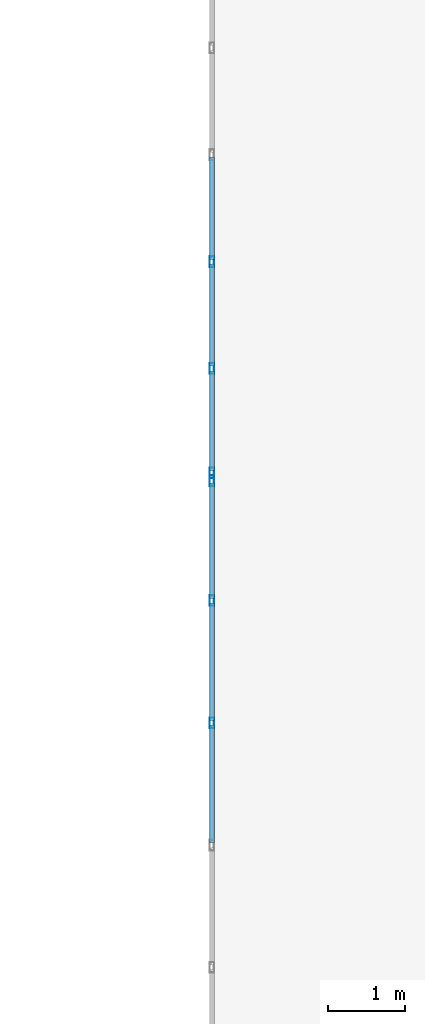
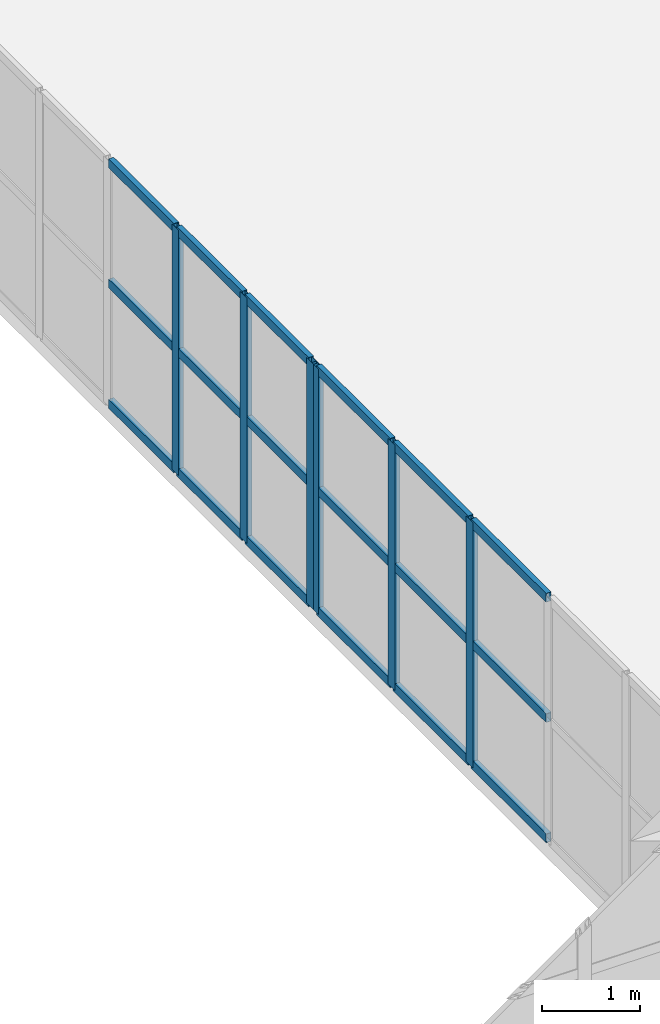
# One storey, part 96 of 200: 24 members, 2 elements without a shape of their own.
"""IFC4 building model written with IfcOpenShell, lengths in metres."""

from ifc_helpers import new_model, si_unit, direction, frame, origin, origin_2d, place, context, subcontext, project, spatial, hollow_rectangle, extrude, material, layer, layer_set, material_profile, profile_set, type_object, element, aggregate, save


model = new_model("IFC4")

# Units and contexts
model_context = context("Model", 3, precision=1e-05, world=origin(), true_north=direction((0.0, 1.0)))
body_context = subcontext(model_context, "Body", "Model", "MODEL_VIEW")
ifc_project = project(units=[si_unit("LENGTHUNIT", "METRE"), si_unit("AREAUNIT", "SQUARE_METRE"), si_unit("VOLUMEUNIT", "CUBIC_METRE"), si_unit("PLANEANGLEUNIT", "RADIAN"), si_unit("MASSUNIT", "GRAM", prefix="KILO")], contexts=[model_context])

# Site, building, storey
site_placement = place(None, origin())
site = spatial("IfcSite", under=ifc_project, at=site_placement, CompositionType="ELEMENT")
building_placement = place(site_placement, origin())
building = spatial("IfcBuilding", under=site, at=building_placement, Name="Trelvath General Hospital", CompositionType="ELEMENT")
storey_placement = place(building_placement, frame((0.0, 0.0, 4.800048828125)))
storey = spatial("IfcBuildingStorey", under=building, at=storey_placement, Name="L01", CompositionType="ELEMENT", Elevation=4.800048828125)

# Curtain wall, members
ifc_material_1 = material(Name="Anodised aluminium and low-E glass", Category="aluminium")
ifc_layer_1 = layer(ifc_material_1, 0.14990234375)
ifc_layer_set_1 = layer_set([ifc_layer_1], Name="Anodised aluminium and low-E glass")
curtain_wall_type_1 = type_object("IfcCurtainWallType", Name="CW CrystalCube 798 306 15", PredefinedType="USERDEFINED", material=ifc_layer_set_1)
curtain_wall_1_placement = place(storey_placement, origin())
curtain_wall_1 = element("IfcCurtainWall", 1, at=curtain_wall_1_placement, inside=storey, type_object=curtain_wall_type_1, Name="Crystal Cube Curtain Wall CUBE-E-T0 W5 L01", ObjectType="Unitised Glazed Curtain Wall", PredefinedType="USERDEFINED")
ifc_material_2 = material(Name="Anodised aluminium", Category="aluminium")
ifc_material_profile_1 = material_profile(ifc_material_2, hollow_rectangle(XDim=0.06005859375, YDim=0.139892578125, WallThickness=0.00390625, at=origin_2d()), Name="RHS60x140x4")
ifc_profile_set_1 = profile_set([ifc_material_profile_1], Name="Anodised aluminium")
member_type_1 = type_object("IfcMemberType", Name="CurtainMullion 60x140", PredefinedType="MULLION", material=ifc_profile_set_1)
member_1_placement = place(storey_placement, frame((92.39990234375, 72.389892578125, 0.0), z_axis=(0.0, 0.0, 1.0), x_axis=(-1.0, 0.0, 0.0)))
member_1 = element("IfcMember", 2, at=member_1_placement, type_object=member_type_1, Name="CW-167 mullion 4", PredefinedType="MULLION", context=body_context, shape_type="SweptSolid", body=[
    extrude(hollow_rectangle(XDim=0.06005859375, YDim=0.139892578125, WallThickness=0.00390625, at=origin_2d()), origin(), (0.0, 0.0, 1.0), 3.06005859375),
])
member_2_placement = place(storey_placement, frame((92.39990234375, 73.985107421875, 0.0), z_axis=(0.0, 0.0, 1.0), x_axis=(-1.0, 0.0, 0.0)))
member_2 = element("IfcMember", 3, at=member_2_placement, type_object=member_type_1, Name="CW-167 mullion 5", PredefinedType="MULLION", context=body_context, shape_type="SweptSolid", body=[
    extrude(hollow_rectangle(XDim=0.06005859375, YDim=0.139892578125, WallThickness=0.00390625, at=origin_2d()), origin(), (0.0, 0.0, 1.0), 3.06005859375),
])
member_3_placement = place(storey_placement, frame((92.39990234375, 75.550048828125, 0.0), z_axis=(0.0, 0.0, 1.0), x_axis=(-1.0, 0.0, 0.0)))
member_3 = element("IfcMember", 4, at=member_3_placement, type_object=member_type_1, Name="CW-167 mullion 6", PredefinedType="MULLION", context=body_context, shape_type="SweptSolid", body=[
    extrude(hollow_rectangle(XDim=0.06005859375, YDim=0.139892578125, WallThickness=0.00390625, at=origin_2d()), origin(), (0.0, 0.0, 1.0), 3.06005859375),
])

ifc_material_3 = material(Name="Anodised aluminium and low-E glass", Category="aluminium")
ifc_layer_2 = layer(ifc_material_3, 0.14990234375)
ifc_layer_set_2 = layer_set([ifc_layer_2], Name="Anodised aluminium and low-E glass")
curtain_wall_type_2 = type_object("IfcCurtainWallType", Name="CW CrystalCube 836 306 15", PredefinedType="USERDEFINED", material=ifc_layer_set_2)
curtain_wall_2_placement = place(storey_placement, origin())
curtain_wall_2 = element("IfcCurtainWall", 5, at=curtain_wall_2_placement, inside=storey, type_object=curtain_wall_type_2, Name="Crystal Cube Curtain Wall CUBE-E-T0 W6 L01", ObjectType="Unitised Glazed Curtain Wall", PredefinedType="USERDEFINED")
member_4_placement = place(storey_placement, frame((92.39990234375, 75.64990234375, 0.0), z_axis=(0.0, 0.0, 1.0), x_axis=(-1.0, 0.0, 0.0)))
member_4 = element("IfcMember", 6, at=member_4_placement, type_object=member_type_1, Name="CW-169 mullion 1", PredefinedType="MULLION", context=body_context, shape_type="SweptSolid", body=[
    extrude(hollow_rectangle(XDim=0.06005859375, YDim=0.139892578125, WallThickness=0.00390625, at=origin_2d()), origin(), (0.0, 0.0, 1.0), 3.06005859375),
])
member_5_placement = place(storey_placement, frame((92.39990234375, 77.013427734375, 0.0), z_axis=(0.0, 0.0, 1.0), x_axis=(-1.0, 0.0, 0.0)))
member_5 = element("IfcMember", 7, at=member_5_placement, type_object=member_type_1, Name="CW-169 mullion 2", PredefinedType="MULLION", context=body_context, shape_type="SweptSolid", body=[
    extrude(hollow_rectangle(XDim=0.06005859375, YDim=0.139892578125, WallThickness=0.00390625, at=origin_2d()), origin(), (0.0, 0.0, 1.0), 3.06005859375),
])
member_6_placement = place(storey_placement, frame((92.39990234375, 78.40673828125, 0.0), z_axis=(0.0, 0.0, 1.0), x_axis=(-1.0, 0.0, 0.0)))
member_6 = element("IfcMember", 8, at=member_6_placement, type_object=member_type_1, Name="CW-169 mullion 3", PredefinedType="MULLION", context=body_context, shape_type="SweptSolid", body=[
    extrude(hollow_rectangle(XDim=0.06005859375, YDim=0.139892578125, WallThickness=0.00390625, at=origin_2d()), origin(), (0.0, 0.0, 1.0), 3.06005859375),
])

# Member
ifc_material_4 = material(Name="Anodised aluminium", Category="aluminium")
ifc_material_profile_2 = material_profile(ifc_material_4, hollow_rectangle(XDim=0.06005859375, YDim=0.110107421875, WallThickness=0.00390625, at=origin_2d()), Name="RHS60x110x4")
ifc_profile_set_2 = profile_set([ifc_material_profile_2], Name="Anodised aluminium")
member_type_2 = type_object("IfcMemberType", Name="CurtainTransom 60x110", PredefinedType="USERDEFINED", material=ifc_profile_set_2)
member_7_placement = place(storey_placement, frame((92.39990234375, 70.824951171875, 0.030029296875), z_axis=(0.0, 1.0, 0.0), x_axis=(-1.0, 0.0, 0.0)))
member_7 = element("IfcMember", 9, at=member_7_placement, type_object=member_type_2, Name="CW-167 transom 3.1", ObjectType="TRANSOM", PredefinedType="USERDEFINED", context=body_context, shape_type="SweptSolid", body=[
    extrude(hollow_rectangle(XDim=0.06005859375, YDim=0.110107421875, WallThickness=0.00390625, at=origin_2d()), origin(), (0.0, 0.0, 1.0), 1.53515625),
])

member_8_placement = place(storey_placement, frame((92.39990234375, 70.824951171875, 1.530029296875), z_axis=(0.0, 1.0, 0.0), x_axis=(-1.0, 0.0, 0.0)))
member_8 = element("IfcMember", 10, at=member_8_placement, type_object=member_type_2, Name="CW-167 transom 3.2", ObjectType="TRANSOM", PredefinedType="USERDEFINED", context=body_context, shape_type="SweptSolid", body=[
    extrude(hollow_rectangle(XDim=0.06005859375, YDim=0.110107421875, WallThickness=0.00390625, at=origin_2d()), origin(), (0.0, 0.0, 1.0), 1.53515625),
])

member_9_placement = place(storey_placement, frame((92.39990234375, 70.824951171875, 3.030029296875), z_axis=(0.0, 1.0, 0.0), x_axis=(-1.0, 0.0, 0.0)))
member_9 = element("IfcMember", 11, at=member_9_placement, type_object=member_type_2, Name="CW-167 transom 3.3", ObjectType="TRANSOM", PredefinedType="USERDEFINED", context=body_context, shape_type="SweptSolid", body=[
    extrude(hollow_rectangle(XDim=0.06005859375, YDim=0.110107421875, WallThickness=0.00390625, at=origin_2d()), origin(), (0.0, 0.0, 1.0), 1.53515625),
])

member_10_placement = place(storey_placement, frame((92.39990234375, 72.419921875, 0.030029296875), z_axis=(0.0, 1.0, 0.0), x_axis=(-1.0, 0.0, 0.0)))
member_10 = element("IfcMember", 12, at=member_10_placement, type_object=member_type_2, Name="CW-167 transom 4.1", ObjectType="TRANSOM", PredefinedType="USERDEFINED", context=body_context, shape_type="SweptSolid", body=[
    extrude(hollow_rectangle(XDim=0.06005859375, YDim=0.110107421875, WallThickness=0.00390625, at=origin_2d()), origin(), (0.0, 0.0, 1.0), 1.53515625),
])

member_11_placement = place(storey_placement, frame((92.39990234375, 72.419921875, 1.530029296875), z_axis=(0.0, 1.0, 0.0), x_axis=(-1.0, 0.0, 0.0)))
member_11 = element("IfcMember", 13, at=member_11_placement, type_object=member_type_2, Name="CW-167 transom 4.2", ObjectType="TRANSOM", PredefinedType="USERDEFINED", context=body_context, shape_type="SweptSolid", body=[
    extrude(hollow_rectangle(XDim=0.06005859375, YDim=0.110107421875, WallThickness=0.00390625, at=origin_2d()), origin(), (0.0, 0.0, 1.0), 1.53515625),
])

member_12_placement = place(storey_placement, frame((92.39990234375, 72.419921875, 3.030029296875), z_axis=(0.0, 1.0, 0.0), x_axis=(-1.0, 0.0, 0.0)))
member_12 = element("IfcMember", 14, at=member_12_placement, type_object=member_type_2, Name="CW-167 transom 4.3", ObjectType="TRANSOM", PredefinedType="USERDEFINED", context=body_context, shape_type="SweptSolid", body=[
    extrude(hollow_rectangle(XDim=0.06005859375, YDim=0.110107421875, WallThickness=0.00390625, at=origin_2d()), origin(), (0.0, 0.0, 1.0), 1.53515625),
])

member_13_placement = place(storey_placement, frame((92.39990234375, 74.014892578125, 0.030029296875), z_axis=(0.0, 1.0, 0.0), x_axis=(-1.0, 0.0, 0.0)))
member_13 = element("IfcMember", 15, at=member_13_placement, type_object=member_type_2, Name="CW-167 transom 5.1", ObjectType="TRANSOM", PredefinedType="USERDEFINED", context=body_context, shape_type="SweptSolid", body=[
    extrude(hollow_rectangle(XDim=0.06005859375, YDim=0.110107421875, WallThickness=0.00390625, at=origin_2d()), origin(), (0.0, 0.0, 1.0), 1.505126953125),
])

member_14_placement = place(storey_placement, frame((92.39990234375, 74.014892578125, 1.530029296875), z_axis=(0.0, 1.0, 0.0), x_axis=(-1.0, 0.0, 0.0)))
member_14 = element("IfcMember", 16, at=member_14_placement, type_object=member_type_2, Name="CW-167 transom 5.2", ObjectType="TRANSOM", PredefinedType="USERDEFINED", context=body_context, shape_type="SweptSolid", body=[
    extrude(hollow_rectangle(XDim=0.06005859375, YDim=0.110107421875, WallThickness=0.00390625, at=origin_2d()), origin(), (0.0, 0.0, 1.0), 1.505126953125),
])

member_15_placement = place(storey_placement, frame((92.39990234375, 74.014892578125, 3.030029296875), z_axis=(0.0, 1.0, 0.0), x_axis=(-1.0, 0.0, 0.0)))
member_15 = element("IfcMember", 17, at=member_15_placement, type_object=member_type_2, Name="CW-167 transom 5.3", ObjectType="TRANSOM", PredefinedType="USERDEFINED", context=body_context, shape_type="SweptSolid", body=[
    extrude(hollow_rectangle(XDim=0.06005859375, YDim=0.110107421875, WallThickness=0.00390625, at=origin_2d()), origin(), (0.0, 0.0, 1.0), 1.505126953125),
])

aggregate(curtain_wall_1, [member_1, member_2, member_3, member_7, member_8, member_9, member_10, member_11, member_12, member_13, member_14, member_15])

member_16_placement = place(storey_placement, frame((92.39990234375, 75.679931640625, 0.030029296875), z_axis=(0.0, 1.0, 0.0), x_axis=(-1.0, 0.0, 0.0)))
member_16 = element("IfcMember", 18, at=member_16_placement, type_object=member_type_2, Name="CW-169 transom 1.1", ObjectType="TRANSOM", PredefinedType="USERDEFINED", context=body_context, shape_type="SweptSolid", body=[
    extrude(hollow_rectangle(XDim=0.06005859375, YDim=0.110107421875, WallThickness=0.00390625, at=origin_2d()), origin(), (0.0, 0.0, 1.0), 1.303466796875),
])

member_17_placement = place(storey_placement, frame((92.39990234375, 75.679931640625, 1.530029296875), z_axis=(0.0, 1.0, 0.0), x_axis=(-1.0, 0.0, 0.0)))
member_17 = element("IfcMember", 19, at=member_17_placement, type_object=member_type_2, Name="CW-169 transom 1.2", ObjectType="TRANSOM", PredefinedType="USERDEFINED", context=body_context, shape_type="SweptSolid", body=[
    extrude(hollow_rectangle(XDim=0.06005859375, YDim=0.110107421875, WallThickness=0.00390625, at=origin_2d()), origin(), (0.0, 0.0, 1.0), 1.303466796875),
])

member_18_placement = place(storey_placement, frame((92.39990234375, 75.679931640625, 3.030029296875), z_axis=(0.0, 1.0, 0.0), x_axis=(-1.0, 0.0, 0.0)))
member_18 = element("IfcMember", 20, at=member_18_placement, type_object=member_type_2, Name="CW-169 transom 1.3", ObjectType="TRANSOM", PredefinedType="USERDEFINED", context=body_context, shape_type="SweptSolid", body=[
    extrude(hollow_rectangle(XDim=0.06005859375, YDim=0.110107421875, WallThickness=0.00390625, at=origin_2d()), origin(), (0.0, 0.0, 1.0), 1.303466796875),
])

member_19_placement = place(storey_placement, frame((92.39990234375, 77.043212890625, 0.030029296875), z_axis=(0.0, 1.0, 0.0), x_axis=(-1.0, 0.0, 0.0)))
member_19 = element("IfcMember", 21, at=member_19_placement, type_object=member_type_2, Name="CW-169 transom 2.1", ObjectType="TRANSOM", PredefinedType="USERDEFINED", context=body_context, shape_type="SweptSolid", body=[
    extrude(hollow_rectangle(XDim=0.06005859375, YDim=0.110107421875, WallThickness=0.00390625, at=origin_2d()), origin(), (0.0, 0.0, 1.0), 1.33349609375),
])

member_20_placement = place(storey_placement, frame((92.39990234375, 77.043212890625, 1.530029296875), z_axis=(0.0, 1.0, 0.0), x_axis=(-1.0, 0.0, 0.0)))
member_20 = element("IfcMember", 22, at=member_20_placement, type_object=member_type_2, Name="CW-169 transom 2.2", ObjectType="TRANSOM", PredefinedType="USERDEFINED", context=body_context, shape_type="SweptSolid", body=[
    extrude(hollow_rectangle(XDim=0.06005859375, YDim=0.110107421875, WallThickness=0.00390625, at=origin_2d()), origin(), (0.0, 0.0, 1.0), 1.33349609375),
])

member_21_placement = place(storey_placement, frame((92.39990234375, 77.043212890625, 3.030029296875), z_axis=(0.0, 1.0, 0.0), x_axis=(-1.0, 0.0, 0.0)))
member_21 = element("IfcMember", 23, at=member_21_placement, type_object=member_type_2, Name="CW-169 transom 2.3", ObjectType="TRANSOM", PredefinedType="USERDEFINED", context=body_context, shape_type="SweptSolid", body=[
    extrude(hollow_rectangle(XDim=0.06005859375, YDim=0.110107421875, WallThickness=0.00390625, at=origin_2d()), origin(), (0.0, 0.0, 1.0), 1.33349609375),
])

member_22_placement = place(storey_placement, frame((92.39990234375, 78.436767578125, 0.030029296875), z_axis=(0.0, 1.0, 0.0), x_axis=(-1.0, 0.0, 0.0)))
member_22 = element("IfcMember", 24, at=member_22_placement, type_object=member_type_2, Name="CW-169 transom 3.1", ObjectType="TRANSOM", PredefinedType="USERDEFINED", context=body_context, shape_type="SweptSolid", body=[
    extrude(hollow_rectangle(XDim=0.06005859375, YDim=0.110107421875, WallThickness=0.00390625, at=origin_2d()), origin(), (0.0, 0.0, 1.0), 1.333251953125),
])

member_23_placement = place(storey_placement, frame((92.39990234375, 78.436767578125, 1.530029296875), z_axis=(0.0, 1.0, 0.0), x_axis=(-1.0, 0.0, 0.0)))
member_23 = element("IfcMember", 25, at=member_23_placement, type_object=member_type_2, Name="CW-169 transom 3.2", ObjectType="TRANSOM", PredefinedType="USERDEFINED", context=body_context, shape_type="SweptSolid", body=[
    extrude(hollow_rectangle(XDim=0.06005859375, YDim=0.110107421875, WallThickness=0.00390625, at=origin_2d()), origin(), (0.0, 0.0, 1.0), 1.333251953125),
])

member_24_placement = place(storey_placement, frame((92.39990234375, 78.436767578125, 3.030029296875), z_axis=(0.0, 1.0, 0.0), x_axis=(-1.0, 0.0, 0.0)))
member_24 = element("IfcMember", 26, at=member_24_placement, type_object=member_type_2, Name="CW-169 transom 3.3", ObjectType="TRANSOM", PredefinedType="USERDEFINED", context=body_context, shape_type="SweptSolid", body=[
    extrude(hollow_rectangle(XDim=0.06005859375, YDim=0.110107421875, WallThickness=0.00390625, at=origin_2d()), origin(), (0.0, 0.0, 1.0), 1.333251953125),
])

aggregate(curtain_wall_2, [member_4, member_5, member_6, member_16, member_17, member_18, member_19, member_20, member_21, member_22, member_23, member_24])

save(model, "model.ifc")
